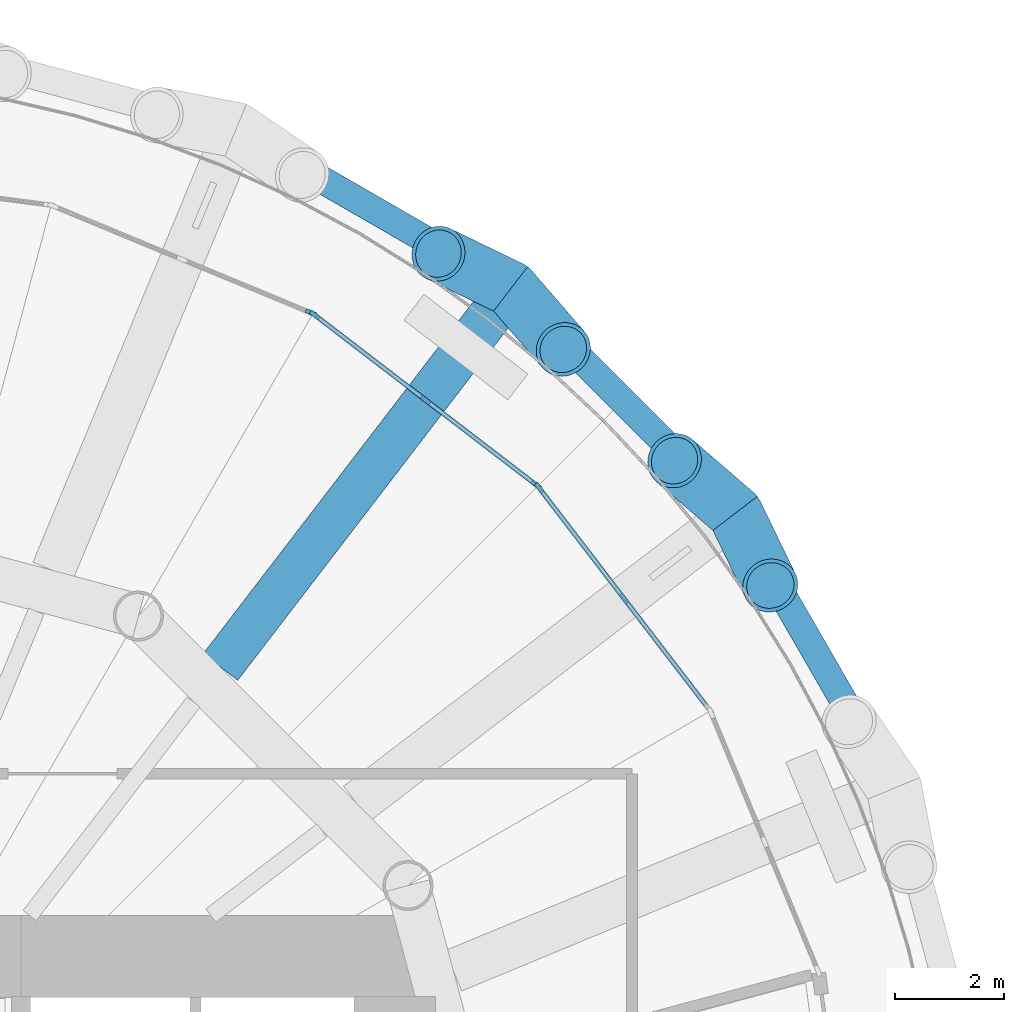
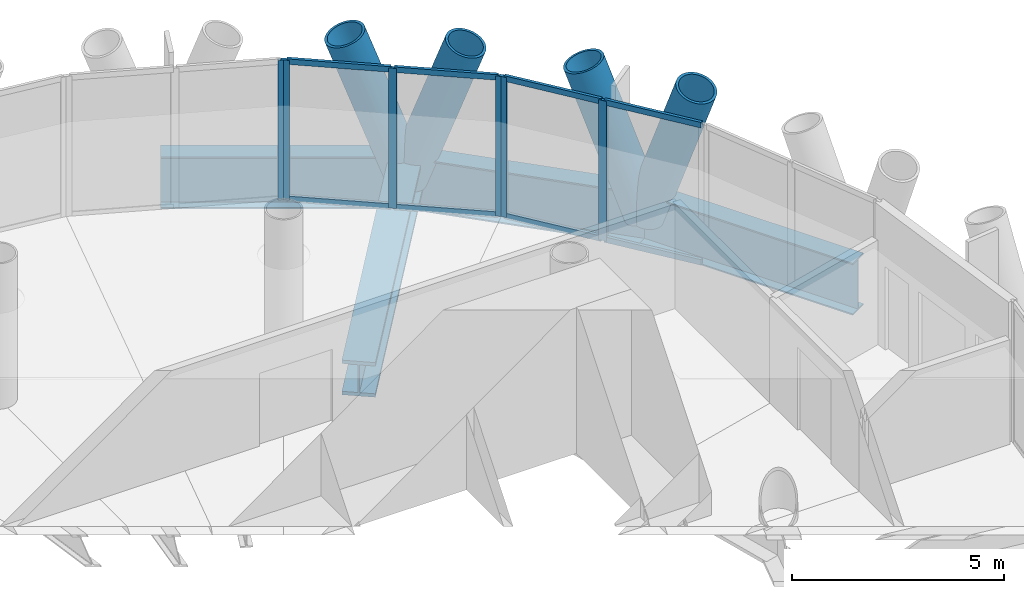
# One storey, part 7 of 16: 18 members, 4 beams, 3 elements without a shape of their own.
"""IFC4 building model written with IfcOpenShell, lengths in metres."""

from ifc_helpers import new_model, si_unit, direction, frame, origin, origin_2d, place, context, subcontext, project, spatial, rectangle, hollow_circle, i_section, extrude, material, material_profile, profile_set, type_object, element, aggregate, save


model = new_model("IFC4")

# Units and contexts
model_context = context("Model", 3, precision=1e-05, world=origin(), true_north=direction((0.0, 1.0)))
body_context = subcontext(model_context, "Body", "Model", "MODEL_VIEW")
ifc_project = project(units=[si_unit("LENGTHUNIT", "METRE"), si_unit("AREAUNIT", "SQUARE_METRE"), si_unit("VOLUMEUNIT", "CUBIC_METRE"), si_unit("PLANEANGLEUNIT", "RADIAN"), si_unit("MASSUNIT", "GRAM", prefix="KILO")], contexts=[model_context])

# Site, building, storey
site_placement = place(None, origin())
site = spatial("IfcSite", under=ifc_project, at=site_placement, CompositionType="ELEMENT")
building_placement = place(site_placement, origin())
building = spatial("IfcBuilding", under=site, at=building_placement, Name="Qaws Media Tower", CompositionType="ELEMENT")
storey_placement = place(building_placement, frame((0.0, 0.0, 252.800048828125)))
storey = spatial("IfcBuildingStorey", under=building, at=storey_placement, Name="L58", CompositionType="ELEMENT", Elevation=252.800048828125)

# Curtain wall, members
ifc_material_1 = material(Name="Aluminium and clear glass", Category="aluminium")
curtain_wall_type = type_object("IfcCurtainWallType", Name="Unitised curtain wall CW-C", PredefinedType="NOTDEFINED", material=ifc_material_1)
curtain_wall_1_placement = place(storey_placement, origin())
curtain_wall_1 = element("IfcCurtainWall", 1, at=curtain_wall_1_placement, inside=storey, type_object=curtain_wall_type, Name="CWC curtain wall L58-03", PredefinedType="NOTDEFINED")
ifc_material_2 = material(Name="Aluminium mullion", Category="aluminium")
ifc_material_profile_1 = material_profile(ifc_material_2, rectangle(XDim=0.080078125, YDim=0.199951171875, at=origin_2d()), Name="80x200")
ifc_profile_set_1 = profile_set([ifc_material_profile_1], Name="Aluminium mullion")
member_type_1 = type_object("IfcMemberType", Name="Curtain wall mullion 80x200", PredefinedType="MULLION", material=ifc_profile_set_1)
member_1_placement = place(storey_placement, frame((75.652587890625, 62.0107421875, 0.0), z_axis=(0.0, 0.0, 1.0), x_axis=(-0.793353306026, -0.608761473664, 0.0)))
member_1 = element("IfcMember", 2, at=member_1_placement, type_object=member_type_1, Name="CWC mullion 2", PredefinedType="MULLION", context=body_context, shape_type="SweptSolid", body=[
    extrude(rectangle(XDim=0.080078125, YDim=0.199951171875, at=origin_2d()), origin(), (0.0, 0.0, 1.0), 4.0400390625),
])
member_2_placement = place(storey_placement, frame((74.095703125, 64.039794921875, 0.0), z_axis=(0.0, 0.0, 1.0), x_axis=(-0.793353306026, -0.608761473664, 0.0)))
member_2 = element("IfcMember", 3, at=member_2_placement, type_object=member_type_1, Name="CWC mullion 3", PredefinedType="MULLION", context=body_context, shape_type="SweptSolid", body=[
    extrude(rectangle(XDim=0.080078125, YDim=0.199951171875, at=origin_2d()), origin(), (0.0, 0.0, 1.0), 4.0400390625),
])

curtain_wall_2_placement = place(storey_placement, origin())
curtain_wall_2 = element("IfcCurtainWall", 4, at=curtain_wall_2_placement, inside=storey, type_object=curtain_wall_type, Name="CWC curtain wall L58-04", PredefinedType="NOTDEFINED")
member_3_placement = place(storey_placement, frame((74.039794921875, 64.095703125, 0.0), z_axis=(0.0, 0.0, 1.0), x_axis=(-0.608761473664, -0.793353306026, 0.0)))
member_3 = element("IfcMember", 5, at=member_3_placement, type_object=member_type_1, Name="CWC mullion 1", PredefinedType="MULLION", context=body_context, shape_type="SweptSolid", body=[
    extrude(rectangle(XDim=0.080078125, YDim=0.199951171875, at=origin_2d()), origin(), (0.0, 0.0, 1.0), 4.0400390625),
])
member_4_placement = place(storey_placement, frame((72.0107421875, 65.652587890625, 0.0), z_axis=(0.0, 0.0, 1.0), x_axis=(-0.608761473664, -0.793353306026, 0.0)))
member_4 = element("IfcMember", 6, at=member_4_placement, type_object=member_type_1, Name="CWC mullion 2", PredefinedType="MULLION", context=body_context, shape_type="SweptSolid", body=[
    extrude(rectangle(XDim=0.080078125, YDim=0.199951171875, at=origin_2d()), origin(), (0.0, 0.0, 1.0), 4.0400390625),
])
member_5_placement = place(storey_placement, frame((69.981689453125, 67.20947265625, 0.0), z_axis=(0.0, 0.0, 1.0), x_axis=(-0.608761473664, -0.793353306026, 0.0)))
member_5 = element("IfcMember", 7, at=member_5_placement, type_object=member_type_1, Name="CWC mullion 3", PredefinedType="MULLION", context=body_context, shape_type="SweptSolid", body=[
    extrude(rectangle(XDim=0.080078125, YDim=0.199951171875, at=origin_2d()), origin(), (0.0, 0.0, 1.0), 4.0400390625),
])

# Curtain wall, member
curtain_wall_3_placement = place(storey_placement, origin())
curtain_wall_3 = element("IfcCurtainWall", 8, at=curtain_wall_3_placement, inside=storey, type_object=curtain_wall_type, Name="CWC curtain wall L58-05", PredefinedType="NOTDEFINED")
member_6_placement = place(storey_placement, frame((69.9130859375, 67.249267578125, 0.0), z_axis=(0.0, 0.0, 1.0), x_axis=(-0.382683365528, -0.923879560196, 0.0)))
member_6 = element("IfcMember", 9, at=member_6_placement, type_object=member_type_1, Name="CWC mullion 1", PredefinedType="MULLION", context=body_context, shape_type="SweptSolid", body=[
    extrude(rectangle(XDim=0.080078125, YDim=0.199951171875, at=origin_2d()), origin(), (0.0, 0.0, 1.0), 4.0400390625),
])
aggregate(curtain_wall_3, [member_6])

# Member
ifc_material_3 = material(Name="Aluminium transom", Category="aluminium")
ifc_material_profile_2 = material_profile(ifc_material_3, rectangle(XDim=0.080078125, YDim=0.159912109375, at=origin_2d()), Name="80x160")
ifc_profile_set_2 = profile_set([ifc_material_profile_2], Name="Aluminium transom")
member_type_2 = type_object("IfcMemberType", Name="Curtain wall transom 80x160", PredefinedType="USERDEFINED", material=ifc_profile_set_2)
member_7_placement = place(storey_placement, frame((77.185302734375, 60.013427734375, 0.0400390625), z_axis=(-0.608776960351, 0.793341422432, 0.0), x_axis=(-0.793341422432, -0.608776960351, 0.0)))
member_7 = element("IfcMember", 10, at=member_7_placement, type_object=member_type_2, Name="CWC transom 1.1", ObjectType="TRANSOM", PredefinedType="USERDEFINED", context=body_context, shape_type="SweptSolid", body=[
    extrude(rectangle(XDim=0.080078125, YDim=0.159912109375, at=origin_2d()), origin(), (0.0, 0.0, 1.0), 2.4775390625),
])

member_8_placement = place(storey_placement, frame((77.185302734375, 60.013427734375, 4.0), z_axis=(-0.608776960351, 0.793341422432, 0.0), x_axis=(-0.793341422432, -0.608776960351, 0.0)))
member_8 = element("IfcMember", 11, at=member_8_placement, type_object=member_type_2, Name="CWC transom 1.2", ObjectType="TRANSOM", PredefinedType="USERDEFINED", context=body_context, shape_type="SweptSolid", body=[
    extrude(rectangle(XDim=0.080078125, YDim=0.159912109375, at=origin_2d()), origin(), (0.0, 0.0, 1.0), 2.4775390625),
])

member_9_placement = place(storey_placement, frame((75.62841796875, 62.04248046875, 0.0400390625), z_axis=(-0.608776960351, 0.793341422432, 0.0), x_axis=(-0.793341422432, -0.608776960351, 0.0)))
member_9 = element("IfcMember", 12, at=member_9_placement, type_object=member_type_2, Name="CWC transom 2.1", ObjectType="TRANSOM", PredefinedType="USERDEFINED", context=body_context, shape_type="SweptSolid", body=[
    extrude(rectangle(XDim=0.080078125, YDim=0.159912109375, at=origin_2d()), origin(), (0.0, 0.0, 1.0), 2.4775390625),
])

member_10_placement = place(storey_placement, frame((75.62841796875, 62.04248046875, 4.0), z_axis=(-0.608776960351, 0.793341422432, 0.0), x_axis=(-0.793341422432, -0.608776960351, 0.0)))
member_10 = element("IfcMember", 13, at=member_10_placement, type_object=member_type_2, Name="CWC transom 2.2", ObjectType="TRANSOM", PredefinedType="USERDEFINED", context=body_context, shape_type="SweptSolid", body=[
    extrude(rectangle(XDim=0.080078125, YDim=0.159912109375, at=origin_2d()), origin(), (0.0, 0.0, 1.0), 2.4775390625),
])

aggregate(curtain_wall_1, [member_1, member_2, member_7, member_8, member_9, member_10])

member_11_placement = place(storey_placement, frame((74.008056640625, 64.1201171875, 0.0400390625), z_axis=(-0.793341422432, 0.608776960351, 0.0), x_axis=(-0.608776960351, -0.793341422432, 0.0)))
member_11 = element("IfcMember", 14, at=member_11_placement, type_object=member_type_2, Name="CWC transom 1.1", ObjectType="TRANSOM", PredefinedType="USERDEFINED", context=body_context, shape_type="SweptSolid", body=[
    extrude(rectangle(XDim=0.080078125, YDim=0.159912109375, at=origin_2d()), origin(), (0.0, 0.0, 1.0), 2.4775390625),
])

member_12_placement = place(storey_placement, frame((74.008056640625, 64.1201171875, 4.0), z_axis=(-0.793341422432, 0.608776960351, 0.0), x_axis=(-0.608776960351, -0.793341422432, 0.0)))
member_12 = element("IfcMember", 15, at=member_12_placement, type_object=member_type_2, Name="CWC transom 1.2", ObjectType="TRANSOM", PredefinedType="USERDEFINED", context=body_context, shape_type="SweptSolid", body=[
    extrude(rectangle(XDim=0.080078125, YDim=0.159912109375, at=origin_2d()), origin(), (0.0, 0.0, 1.0), 2.4775390625),
])

member_13_placement = place(storey_placement, frame((71.97900390625, 65.677001953125, 0.0400390625), z_axis=(-0.793341422432, 0.608776960351, 0.0), x_axis=(-0.608776960351, -0.793341422432, 0.0)))
member_13 = element("IfcMember", 16, at=member_13_placement, type_object=member_type_2, Name="CWC transom 2.1", ObjectType="TRANSOM", PredefinedType="USERDEFINED", context=body_context, shape_type="SweptSolid", body=[
    extrude(rectangle(XDim=0.080078125, YDim=0.159912109375, at=origin_2d()), origin(), (0.0, 0.0, 1.0), 2.4775390625),
])

member_14_placement = place(storey_placement, frame((71.97900390625, 65.677001953125, 4.0), z_axis=(-0.793341422432, 0.608776960351, 0.0), x_axis=(-0.608776960351, -0.793341422432, 0.0)))
member_14 = element("IfcMember", 17, at=member_14_placement, type_object=member_type_2, Name="CWC transom 2.2", ObjectType="TRANSOM", PredefinedType="USERDEFINED", context=body_context, shape_type="SweptSolid", body=[
    extrude(rectangle(XDim=0.080078125, YDim=0.159912109375, at=origin_2d()), origin(), (0.0, 0.0, 1.0), 2.4775390625),
])

aggregate(curtain_wall_2, [member_3, member_4, member_5, member_11, member_12, member_13, member_14])

# Members
ifc_material_4 = material(Name="Steel S460", Category="steel")
ifc_material_profile_3 = material_profile(ifc_material_4, hollow_circle(Radius=0.508056640625, WallThickness=0.070068359375, at=origin_2d()), Name="CHS 1016x70")
ifc_profile_set_3 = profile_set([ifc_material_profile_3], Name="Steel S460")
member_type_3 = type_object("IfcMemberType", Name="Diagrid member CHS 1016x70", PredefinedType="USERDEFINED", material=ifc_profile_set_3)
for number, where, z_axis, x_axis, name in (
    (18, (77.69189453125, 63.575439453125, -0.91015625), (-0.250239472427, 0.216395159738, 0.943691337929), (-0.654103222273, -0.756405297848, 0.0), "DG3 diagrid L58 A03"),
    (19, (77.69189453125, 63.575439453125, -0.91015625), (0.144262308007, -0.297739850899, 0.943683934204), (0.899928467789, 0.436037559006, 0.0), "DG3 diagrid L58 B03"),
    (20, (73.575439453125, 67.69189453125, -0.91015625), (-0.297739850899, 0.144262308007, 0.943683934204), (-0.436037559006, -0.899928467789, 0.0), "DG3 diagrid L58 A04"),
    (21, (73.575439453125, 67.69189453125, -0.91015625), (0.216395159738, -0.250239472427, 0.943691337929), (0.756405297848, 0.654103222273, 0.0), "DG3 diagrid L58 B04"),
):
    element("IfcMember", number, at=place(storey_placement, frame(where, z_axis=z_axis, x_axis=x_axis)), inside=storey, type_object=member_type_3, Name=name, ObjectType="DIAGRID", PredefinedType="USERDEFINED", context=body_context, shape_type="SweptSolid", body=[
        extrude(hollow_circle(Radius=0.508056640625, WallThickness=0.070068359375, at=origin_2d()), origin(), (0.0, 0.0, 1.0), 4.450927734375),
    ])

# Beams
ifc_material_5 = material(Name="Steel S460", Category="steel")
ifc_material_profile_4 = material_profile(ifc_material_5, i_section(OverallWidth=0.5, OverallDepth=1.5, WebThickness=0.02001953125, FlangeThickness=0.0400390625, at=origin_2d()), Name="PG 1500x500")
ifc_profile_set_4 = profile_set([ifc_material_profile_4], Name="Steel S460")
beam_type_1 = type_object("IfcBeamType", Name="Edge ring beam PG 1500x500", PredefinedType="BEAM", material=ifc_profile_set_4)
beam_1_placement = place(storey_placement, frame((80.6025390625, 58.533935546875, -0.91015625), z_axis=(-0.499991096673, 0.866030544062, 0.0), x_axis=(-0.866030544062, -0.499991096673, 0.0)))
element("IfcBeam", 22, at=beam_1_placement, inside=storey, type_object=beam_type_1, Name="RB4 edge ring beam L58-02", PredefinedType="BEAM", context=body_context, shape_type="SweptSolid", body=[
    extrude(i_section(OverallWidth=0.5, OverallDepth=1.5, WebThickness=0.02001953125, FlangeThickness=0.0400390625, at=origin_2d()), origin(), (0.0, 0.0, 1.0), 5.8212890625),
])
beam_2_placement = place(storey_placement, frame((77.69189453125, 63.575439453125, -0.91015625), z_axis=(-0.707106781187, 0.707106781187, 0.0), x_axis=(-0.707106781187, -0.707106781187, 0.0)))
element("IfcBeam", 23, at=beam_2_placement, inside=storey, type_object=beam_type_1, Name="RB4 edge ring beam L58-03", PredefinedType="BEAM", context=body_context, shape_type="SweptSolid", body=[
    extrude(i_section(OverallWidth=0.5, OverallDepth=1.5, WebThickness=0.02001953125, FlangeThickness=0.0400390625, at=origin_2d()), origin(), (0.0, 0.0, 1.0), 5.821533203125),
])
beam_3_placement = place(storey_placement, frame((73.575439453125, 67.69189453125, -0.91015625), z_axis=(-0.866030544062, 0.499991096673, 0.0), x_axis=(-0.499991096673, -0.866030544062, 0.0)))
element("IfcBeam", 24, at=beam_3_placement, inside=storey, type_object=beam_type_1, Name="RB4 edge ring beam L58-04", PredefinedType="BEAM", context=body_context, shape_type="SweptSolid", body=[
    extrude(i_section(OverallWidth=0.5, OverallDepth=1.5, WebThickness=0.02001953125, FlangeThickness=0.0400390625, at=origin_2d()), origin(), (0.0, 0.0, 1.0), 5.8212890625),
])
ifc_material_6 = material(Name="Steel S460", Category="steel")
ifc_material_profile_5 = material_profile(ifc_material_6, i_section(OverallWidth=0.800048828125, OverallDepth=1.0, WebThickness=0.0400390625, FlangeThickness=0.10009765625, at=origin_2d()), Name="PG 1000x800")
ifc_profile_set_5 = profile_set([ifc_material_profile_5], Name="Steel S460")
beam_type_2 = type_object("IfcBeamType", Name="Radial girder PG 1000x800", PredefinedType="BEAM", material=ifc_profile_set_5)
beam_4_placement = place(storey_placement, frame((68.25244140625, 60.754638671875, -0.66015625), z_axis=(0.608750948801, 0.793361381928, 0.0), x_axis=(-0.793361381928, 0.608750948801, 0.0)))
element("IfcBeam", 25, at=beam_4_placement, inside=storey, type_object=beam_type_2, Name="B1 radial beam L58 04", PredefinedType="BEAM", context=body_context, shape_type="SweptSolid", body=[
    extrude(i_section(OverallWidth=0.800048828125, OverallDepth=1.0, WebThickness=0.0400390625, FlangeThickness=0.10009765625, at=origin_2d()), origin(), (0.0, 0.0, 1.0), 8.744140625),
])

save(model, "model.ifc")
